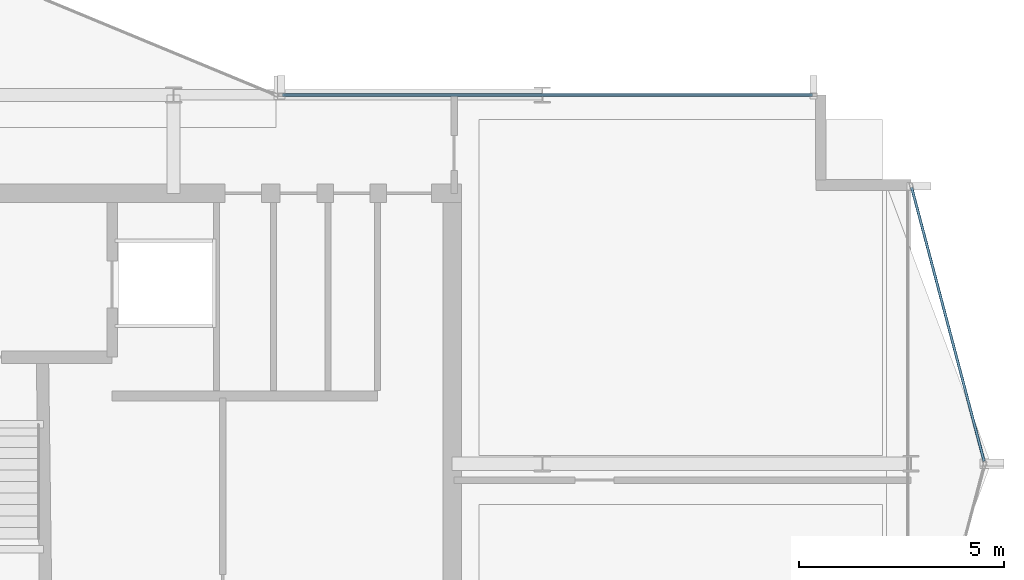
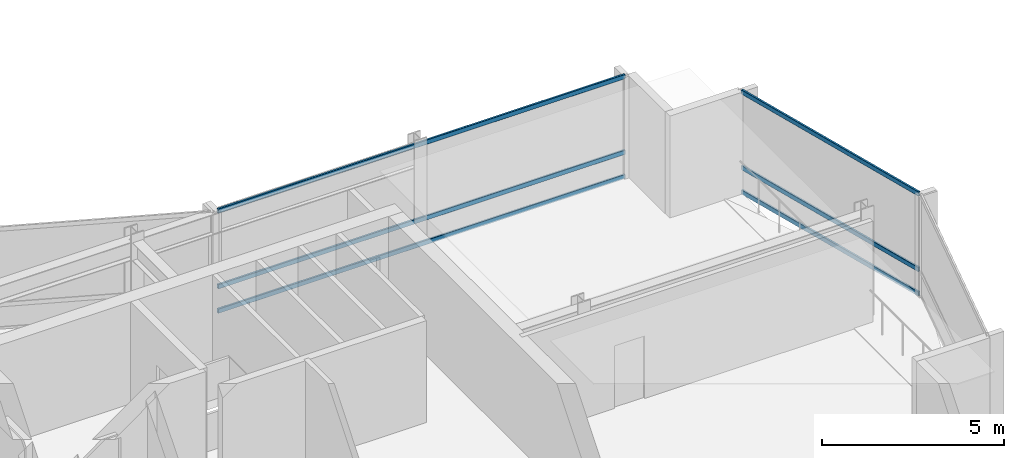
# One storey, part 13 of 27: 6 members, 2 elements without a shape of their own.
"""IFC4 building model written with IfcOpenShell, lengths in metres."""

from ifc_helpers import new_model, si_unit, direction, frame, origin, origin_2d, place, context, subcontext, project, spatial, hollow_rectangle, extrude, material, layer, layer_set, material_profile, profile_set, type_object, element, aggregate, save


model = new_model("IFC4")

# Units and contexts
model_context = context("Model", 3, precision=1e-05, world=origin(), true_north=direction((0.0, 1.0)))
body_context = subcontext(model_context, "Body", "Model", "MODEL_VIEW")
ifc_project = project(units=[si_unit("LENGTHUNIT", "METRE"), si_unit("AREAUNIT", "SQUARE_METRE"), si_unit("VOLUMEUNIT", "CUBIC_METRE"), si_unit("PLANEANGLEUNIT", "RADIAN"), si_unit("MASSUNIT", "GRAM", prefix="KILO")], contexts=[model_context])

# Site, building, storey
site_placement = place(None, origin())
site = spatial("IfcSite", under=ifc_project, at=site_placement, CompositionType="ELEMENT")
building_placement = place(site_placement, origin())
building = spatial("IfcBuilding", under=site, at=building_placement, Name="Solvaryn Broadcast Tower", CompositionType="ELEMENT")
storey_placement = place(building_placement, frame((0.0, 0.0, 224.699951171875)))
storey = spatial("IfcBuildingStorey", under=building, at=storey_placement, Name="L56", CompositionType="ELEMENT", Elevation=224.699951171875)

# Curtain wall, members
ifc_material_1 = material(Name="Aluminium and Terracotta Unitised Curtain Wall", Category="masonry")
ifc_layer = layer(ifc_material_1, 0.199951171875)
ifc_layer_set = layer_set([ifc_layer], Name="CW-SYS2-LOWMID")
curtain_wall_type = type_object("IfcCurtainWallType", Name="CW-SYS2-LOWMID", PredefinedType="NOTDEFINED", material=ifc_layer_set)
curtain_wall_1_placement = place(storey_placement, origin())
curtain_wall_1 = element("IfcCurtainWall", 1, at=curtain_wall_1_placement, inside=storey, type_object=curtain_wall_type, Name="L56 Curtain Wall ET1", PredefinedType="NOTDEFINED")
ifc_material_2 = material(Name="Anodised Aluminium 6063-T6", Category="aluminium")
ifc_material_profile = material_profile(ifc_material_2, hollow_rectangle(XDim=0.06494140625, YDim=0.14990234375, WallThickness=0.00390625, InnerFilletRadius=0.00390625, OuterFilletRadius=0.008056640625, at=origin_2d()))
ifc_profile_set = profile_set([ifc_material_profile], Name="Anodised Aluminium 6063-T6")
member_type = type_object("IfcMemberType", Name="CW-TRN-150", PredefinedType="USERDEFINED", material=ifc_profile_set)
member_1_placement = place(storey_placement, frame((54.015380859375, 24.741943359375, 0.030029296875), z_axis=(0.255897413051, -0.966703943301, 0.0), x_axis=(0.966703943301, 0.255897413051, 0.0)))
member_1 = element("IfcMember", 2, at=member_1_placement, type_object=member_type, Name="CWS2 transom 1.1", ObjectType="TRANSOM", PredefinedType="USERDEFINED", context=body_context, shape_type="SweptSolid", body=[
    extrude(hollow_rectangle(XDim=0.06494140625, YDim=0.14990234375, WallThickness=0.00390625, InnerFilletRadius=0.00390625, OuterFilletRadius=0.008056640625, at=origin_2d()), origin(), (0.0, 0.0, 1.0), 6.9140625),
])
member_2_placement = place(storey_placement, frame((54.015380859375, 24.741943359375, 0.85009765625), z_axis=(0.255897413051, -0.966703943301, 0.0), x_axis=(0.966703943301, 0.255897413051, 0.0)))
member_2 = element("IfcMember", 3, at=member_2_placement, type_object=member_type, Name="CWS2 transom 1.2", ObjectType="TRANSOM", PredefinedType="USERDEFINED", context=body_context, shape_type="SweptSolid", body=[
    extrude(hollow_rectangle(XDim=0.06494140625, YDim=0.14990234375, WallThickness=0.00390625, InnerFilletRadius=0.00390625, OuterFilletRadius=0.008056640625, at=origin_2d()), origin(), (0.0, 0.0, 1.0), 6.9140625),
])
member_3_placement = place(storey_placement, frame((54.015380859375, 24.741943359375, 3.39013671875), z_axis=(0.255897413051, -0.966703943301, 0.0), x_axis=(0.966703943301, 0.255897413051, 0.0)))
member_3 = element("IfcMember", 4, at=member_3_placement, type_object=member_type, Name="CWS2 transom 1.3", ObjectType="TRANSOM", PredefinedType="USERDEFINED", context=body_context, shape_type="SweptSolid", body=[
    extrude(hollow_rectangle(XDim=0.06494140625, YDim=0.14990234375, WallThickness=0.00390625, InnerFilletRadius=0.00390625, OuterFilletRadius=0.008056640625, at=origin_2d()), origin(), (0.0, 0.0, 1.0), 6.9140625),
])
aggregate(curtain_wall_1, [member_1, member_2, member_3])

curtain_wall_2_placement = place(storey_placement, origin())
curtain_wall_2 = element("IfcCurtainWall", 5, at=curtain_wall_2_placement, inside=storey, type_object=curtain_wall_type, Name="L56 Curtain Wall IH", PredefinedType="NOTDEFINED")
member_4_placement = place(storey_placement, frame((38.659912109375, 27.0, 0.030029296875), z_axis=(1.0, 0.0, 0.0), x_axis=(0.0, 1.0, 0.0)))
member_4 = element("IfcMember", 6, at=member_4_placement, type_object=member_type, Name="CWS2 transom 1.1", ObjectType="TRANSOM", PredefinedType="USERDEFINED", context=body_context, shape_type="SweptSolid", body=[
    extrude(hollow_rectangle(XDim=0.06494140625, YDim=0.14990234375, WallThickness=0.00390625, InnerFilletRadius=0.00390625, OuterFilletRadius=0.008056640625, at=origin_2d()), origin(), (0.0, 0.0, 1.0), 12.93017578125),
])
member_5_placement = place(storey_placement, frame((38.659912109375, 27.0, 0.85009765625), z_axis=(1.0, 0.0, 0.0), x_axis=(0.0, 1.0, 0.0)))
member_5 = element("IfcMember", 7, at=member_5_placement, type_object=member_type, Name="CWS2 transom 1.2", ObjectType="TRANSOM", PredefinedType="USERDEFINED", context=body_context, shape_type="SweptSolid", body=[
    extrude(hollow_rectangle(XDim=0.06494140625, YDim=0.14990234375, WallThickness=0.00390625, InnerFilletRadius=0.00390625, OuterFilletRadius=0.008056640625, at=origin_2d()), origin(), (0.0, 0.0, 1.0), 12.93017578125),
])
member_6_placement = place(storey_placement, frame((38.659912109375, 27.0, 3.39013671875), z_axis=(1.0, 0.0, 0.0), x_axis=(0.0, 1.0, 0.0)))
member_6 = element("IfcMember", 8, at=member_6_placement, type_object=member_type, Name="CWS2 transom 1.3", ObjectType="TRANSOM", PredefinedType="USERDEFINED", context=body_context, shape_type="SweptSolid", body=[
    extrude(hollow_rectangle(XDim=0.06494140625, YDim=0.14990234375, WallThickness=0.00390625, InnerFilletRadius=0.00390625, OuterFilletRadius=0.008056640625, at=origin_2d()), origin(), (0.0, 0.0, 1.0), 12.93017578125),
])
aggregate(curtain_wall_2, [member_4, member_5, member_6])

save(model, "model.ifc")
